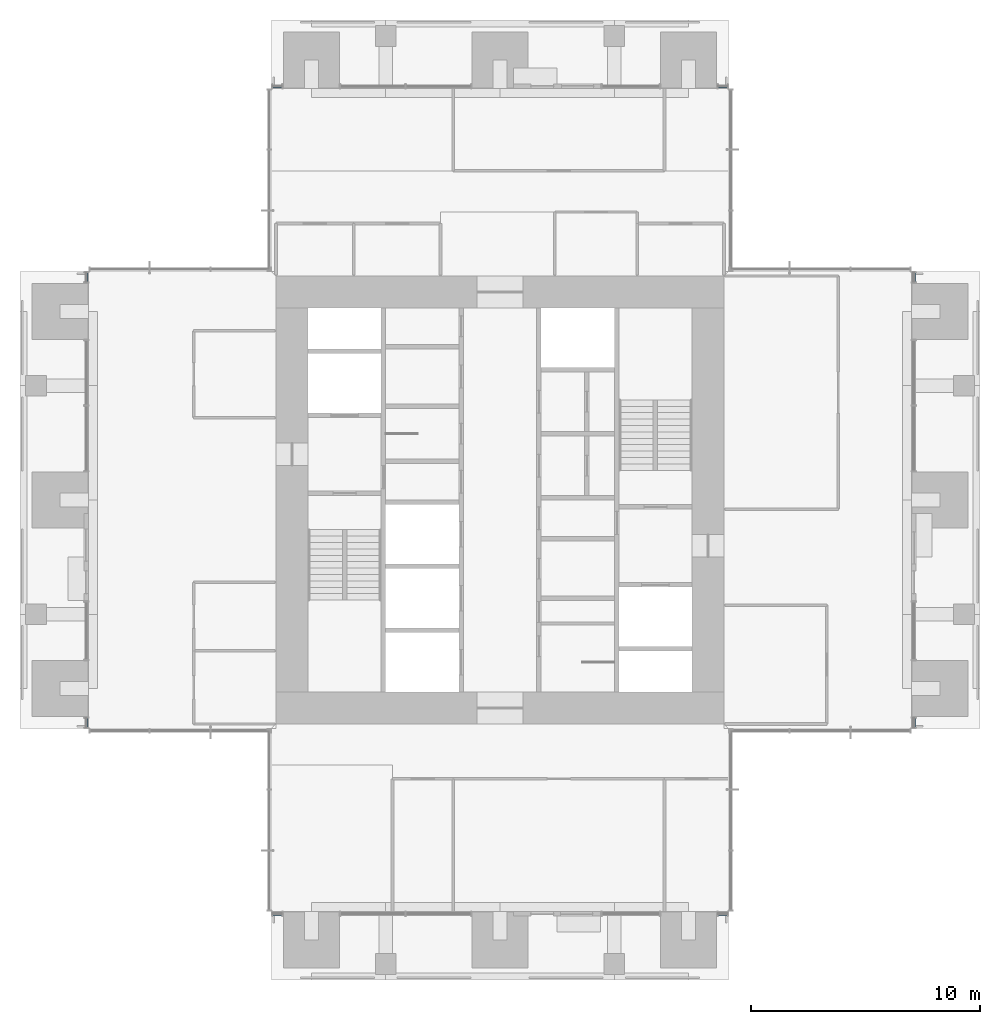
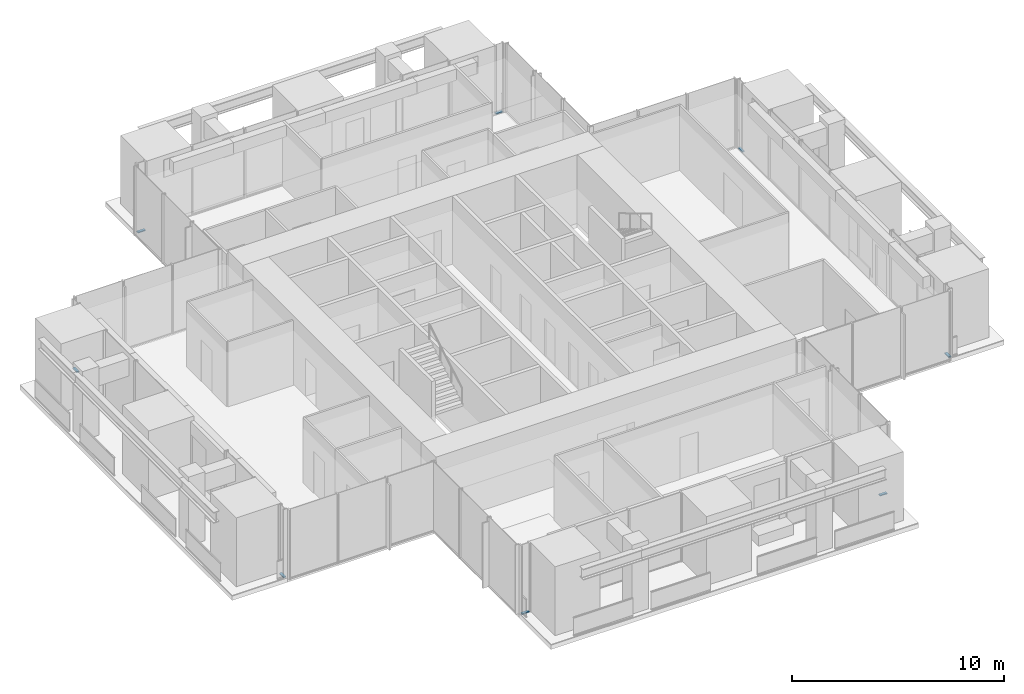
# One storey, part 6 of 17: 8 members, 8 elements without a shape of their own.
"""IFC4 building model written with IfcOpenShell, lengths in metres."""

from ifc_helpers import new_model, si_unit, direction, frame, origin, origin_2d, place, context, subcontext, project, spatial, rectangle, extrude, material, material_profile, profile_set, type_object, element, aggregate, save


model = new_model("IFC4")

# Units and contexts
model_context = context("Model", 3, precision=1e-05, world=origin(), true_north=direction((0.0, 1.0)))
body_context = subcontext(model_context, "Body", "Model", "MODEL_VIEW")
ifc_project = project(units=[si_unit("LENGTHUNIT", "METRE"), si_unit("AREAUNIT", "SQUARE_METRE"), si_unit("VOLUMEUNIT", "CUBIC_METRE"), si_unit("PLANEANGLEUNIT", "RADIAN"), si_unit("MASSUNIT", "GRAM", prefix="KILO")], contexts=[model_context])

# Site, building, storey
site_placement = place(None, origin())
site = spatial("IfcSite", under=ifc_project, at=site_placement, CompositionType="ELEMENT")
building_placement = place(site_placement, origin())
building = spatial("IfcBuilding", under=site, at=building_placement, Name="Svetlomir Tower", CompositionType="ELEMENT")
storey_placement = place(building_placement, frame((0.0, 0.0, 218.5)))
storey = spatial("IfcBuildingStorey", under=building, at=storey_placement, Name="L52", CompositionType="ELEMENT", Elevation=218.5)

# Curtain wall, member
ifc_material_1 = material(Name="Bronze anodised aluminium curtain wall", Category="aluminium")
curtain_wall_type = type_object("IfcCurtainWallType", Name="CURTAIN WALL CW1 TOWER OFFICE", PredefinedType="NOTDEFINED", material=ifc_material_1)
curtain_wall_1_placement = place(storey_placement, origin())
curtain_wall_1 = element("IfcCurtainWall", 1, at=curtain_wall_1_placement, inside=storey, type_object=curtain_wall_type, Name="Curtain wall CW1 L52", PredefinedType="NOTDEFINED")
ifc_material_2 = material(Name="Bronze anodised aluminium", Category="aluminium")
ifc_material_profile = material_profile(ifc_material_2, rectangle(XDim=0.139892578125, YDim=0.06494140625, at=origin_2d()), Name="AL 140x65")
ifc_profile_set = profile_set([ifc_material_profile], Name="Bronze anodised aluminium 6063-T6")
member_type = type_object("IfcMemberType", Name="CW1 TRANSOM 65x140", PredefinedType="USERDEFINED", material=ifc_profile_set)
member_1_placement = place(storey_placement, frame((11.06494140625, 2.89990234375, 0.032470703125), z_axis=(1.0, 0.0, 0.0), x_axis=(0.0, 1.0, 0.0)))
member_1 = element("IfcMember", 2, at=member_1_placement, type_object=member_type, Name="CW1 transom 1.1", ObjectType="TRANSOM", PredefinedType="USERDEFINED", context=body_context, shape_type="SweptSolid", body=[
    extrude(rectangle(XDim=0.139892578125, YDim=0.06494140625, at=origin_2d()), origin(), (0.0, 0.0, 1.0), 0.39501953125),
])
aggregate(curtain_wall_1, [member_1])

curtain_wall_2_placement = place(storey_placement, origin())
curtain_wall_2 = element("IfcCurtainWall", 3, at=curtain_wall_2_placement, inside=storey, type_object=curtain_wall_type, Name="Curtain wall CW1 L52", PredefinedType="NOTDEFINED")
member_2_placement = place(storey_placement, frame((30.5400390625, 2.89990234375, 0.032470703125), z_axis=(1.0, 0.0, 0.0), x_axis=(0.0, 1.0, 0.0)))
member_2 = element("IfcMember", 4, at=member_2_placement, type_object=member_type, Name="CW1 transom 1.1", ObjectType="TRANSOM", PredefinedType="USERDEFINED", context=body_context, shape_type="SweptSolid", body=[
    extrude(rectangle(XDim=0.139892578125, YDim=0.06494140625, at=origin_2d()), origin(), (0.0, 0.0, 1.0), 0.39501953125),
])
aggregate(curtain_wall_2, [member_2])

curtain_wall_3_placement = place(storey_placement, origin())
curtain_wall_3 = element("IfcCurtainWall", 5, at=curtain_wall_3_placement, inside=storey, type_object=curtain_wall_type, Name="Curtain wall CW1 L52", PredefinedType="NOTDEFINED")
member_3_placement = place(storey_placement, frame((39.10009765625, 11.06494140625, 0.032470703125), z_axis=(0.0, 1.0, 0.0), x_axis=(-1.0, 0.0, 0.0)))
member_3 = element("IfcMember", 6, at=member_3_placement, type_object=member_type, Name="CW1 transom 1.1", ObjectType="TRANSOM", PredefinedType="USERDEFINED", context=body_context, shape_type="SweptSolid", body=[
    extrude(rectangle(XDim=0.139892578125, YDim=0.06494140625, at=origin_2d()), origin(), (0.0, 0.0, 1.0), 0.39501953125),
])
aggregate(curtain_wall_3, [member_3])

curtain_wall_4_placement = place(storey_placement, origin())
curtain_wall_4 = element("IfcCurtainWall", 7, at=curtain_wall_4_placement, inside=storey, type_object=curtain_wall_type, Name="Curtain wall CW1 L52", PredefinedType="NOTDEFINED")
member_4_placement = place(storey_placement, frame((39.10009765625, 30.5400390625, 0.032470703125), z_axis=(0.0, 1.0, 0.0), x_axis=(-1.0, 0.0, 0.0)))
member_4 = element("IfcMember", 8, at=member_4_placement, type_object=member_type, Name="CW1 transom 1.1", ObjectType="TRANSOM", PredefinedType="USERDEFINED", context=body_context, shape_type="SweptSolid", body=[
    extrude(rectangle(XDim=0.139892578125, YDim=0.06494140625, at=origin_2d()), origin(), (0.0, 0.0, 1.0), 0.39501953125),
])
aggregate(curtain_wall_4, [member_4])

curtain_wall_5_placement = place(storey_placement, origin())
curtain_wall_5 = element("IfcCurtainWall", 9, at=curtain_wall_5_placement, inside=storey, type_object=curtain_wall_type, Name="Curtain wall CW1 L52", PredefinedType="NOTDEFINED")
member_5_placement = place(storey_placement, frame((30.93505859375, 39.10009765625, 0.032470703125), z_axis=(-1.0, 0.0, 0.0), x_axis=(0.0, -1.0, 0.0)))
member_5 = element("IfcMember", 10, at=member_5_placement, type_object=member_type, Name="CW1 transom 1.1", ObjectType="TRANSOM", PredefinedType="USERDEFINED", context=body_context, shape_type="SweptSolid", body=[
    extrude(rectangle(XDim=0.139892578125, YDim=0.06494140625, at=origin_2d()), origin(), (0.0, 0.0, 1.0), 0.39501953125),
])
aggregate(curtain_wall_5, [member_5])

curtain_wall_6_placement = place(storey_placement, origin())
curtain_wall_6 = element("IfcCurtainWall", 11, at=curtain_wall_6_placement, inside=storey, type_object=curtain_wall_type, Name="Curtain wall CW1 L52", PredefinedType="NOTDEFINED")
member_6_placement = place(storey_placement, frame((11.4599609375, 39.10009765625, 0.032470703125), z_axis=(-1.0, 0.0, 0.0), x_axis=(0.0, -1.0, 0.0)))
member_6 = element("IfcMember", 12, at=member_6_placement, type_object=member_type, Name="CW1 transom 1.1", ObjectType="TRANSOM", PredefinedType="USERDEFINED", context=body_context, shape_type="SweptSolid", body=[
    extrude(rectangle(XDim=0.139892578125, YDim=0.06494140625, at=origin_2d()), origin(), (0.0, 0.0, 1.0), 0.39501953125),
])
aggregate(curtain_wall_6, [member_6])

curtain_wall_7_placement = place(storey_placement, origin())
curtain_wall_7 = element("IfcCurtainWall", 13, at=curtain_wall_7_placement, inside=storey, type_object=curtain_wall_type, Name="Curtain wall CW1 L52", PredefinedType="NOTDEFINED")
member_7_placement = place(storey_placement, frame((2.89990234375, 30.93505859375, 0.032470703125), z_axis=(0.0, -1.0, 0.0), x_axis=(1.0, 0.0, 0.0)))
member_7 = element("IfcMember", 14, at=member_7_placement, type_object=member_type, Name="CW1 transom 1.1", ObjectType="TRANSOM", PredefinedType="USERDEFINED", context=body_context, shape_type="SweptSolid", body=[
    extrude(rectangle(XDim=0.139892578125, YDim=0.06494140625, at=origin_2d()), origin(), (0.0, 0.0, 1.0), 0.39501953125),
])
aggregate(curtain_wall_7, [member_7])

curtain_wall_8_placement = place(storey_placement, origin())
curtain_wall_8 = element("IfcCurtainWall", 15, at=curtain_wall_8_placement, inside=storey, type_object=curtain_wall_type, Name="Curtain wall CW1 L52", PredefinedType="NOTDEFINED")
member_8_placement = place(storey_placement, frame((2.89990234375, 11.4599609375, 0.032470703125), z_axis=(0.0, -1.0, 0.0), x_axis=(1.0, 0.0, 0.0)))
member_8 = element("IfcMember", 16, at=member_8_placement, type_object=member_type, Name="CW1 transom 1.1", ObjectType="TRANSOM", PredefinedType="USERDEFINED", context=body_context, shape_type="SweptSolid", body=[
    extrude(rectangle(XDim=0.139892578125, YDim=0.06494140625, at=origin_2d()), origin(), (0.0, 0.0, 1.0), 0.39501953125),
])
aggregate(curtain_wall_8, [member_8])

save(model, "model.ifc")
